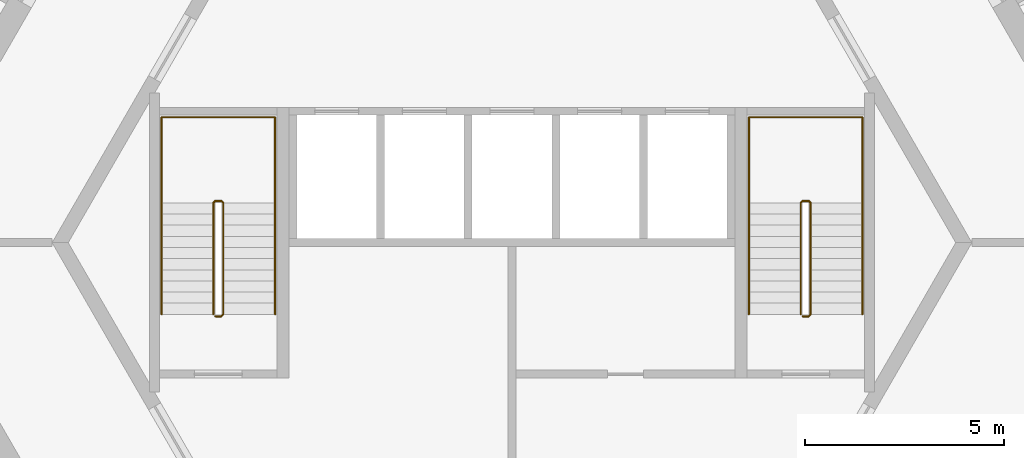
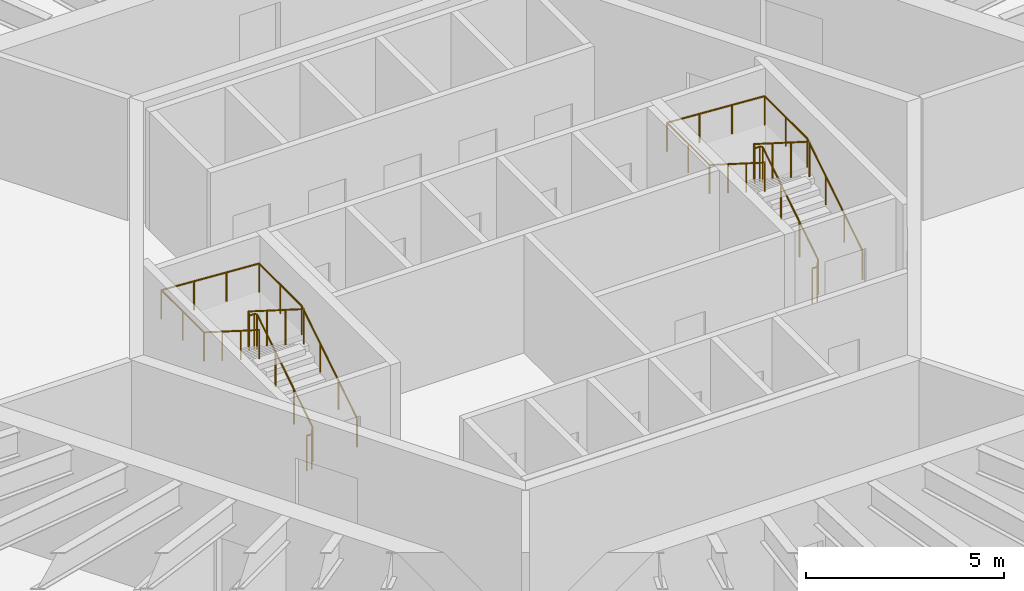
# One storey, part 12 of 12: 4 railings.
"""IFC4 building model written with IfcOpenShell, lengths in metres."""

import ifcopenshell
import ifcopenshell.guid

model = None  # the IFC model being written
_history = None  # IfcOwnerHistory: only IFC2X3 demands one
_inside = {}  # id of a spatial element -> (the spatial element, [elements in it])
_under = {}  # id of a project, library or spatial element -> (it, [spatial elements below it])
_declared = {}  # id of a project -> (the project, [libraries it declares])
_typed = {}  # id of a type object -> (the type object, [elements of that type])
_made_of = {}  # id of a material, layer set ... -> (it, [elements and type objects made of it])


def new_model(schema):
    """Start an empty IFC model of exactly this schema.

    Asked for "IFC4X3", IfcOpenShell would pick the latest addendum, in which some entities
    have other attributes; the version numbers below select the first issue.
    IFC2X3 requires an IfcOwnerHistory on every rooted entity: one is made here for all.
    """
    global model, _history
    if schema == "IFC4X3":
        model = ifcopenshell.file(schema_version=(4, 3, 0, 0))
    else:
        model = ifcopenshell.file(schema=schema)
    _inside.clear()
    _under.clear()
    _declared.clear()
    _typed.clear()
    _made_of.clear()
    _history = None
    if model.schema == "IFC2X3":
        org = make("IfcOrganization", Name="unknown")
        user = make(
            "IfcPersonAndOrganization",
            ThePerson=make("IfcPerson", FamilyName="unknown"),
            TheOrganization=org,
        )
        app = make(
            "IfcApplication",
            ApplicationDeveloper=org,
            Version="unknown",
            ApplicationFullName="unknown",
            ApplicationIdentifier="unknown",
        )
        _history = make(
            "IfcOwnerHistory",
            OwningUser=user,
            OwningApplication=app,
            ChangeAction="ADDED",
            CreationDate=0,
        )
    return model


def make(cls, **values):
    """One entity of the class cls with the attributes given. An attribute that is None is left unset."""
    return model.create_entity(
        cls, **{name: value for name, value in values.items() if value is not None}
    )


def rooted(cls, **values):
    """An entity with a GlobalId (a new one), such as an element, a storey or a relation."""
    return make(cls, GlobalId=ifcopenshell.guid.new(), OwnerHistory=_history, **values)


def si_unit(unit_type, name, prefix=None):
    """IfcSIUnit, for example si_unit("LENGTHUNIT", "METRE", prefix="MILLI")."""
    return make("IfcSIUnit", UnitType=unit_type, Prefix=prefix, Name=name)


def assignment(units):
    """IfcUnitAssignment: the units of a project."""
    return None if units is None else make("IfcUnitAssignment", Units=units)


def point(xyz):
    """IfcCartesianPoint."""
    return None if xyz is None else make("IfcCartesianPoint", Coordinates=xyz)


def direction(xyz):
    """IfcDirection."""
    return None if xyz is None else make("IfcDirection", DirectionRatios=xyz)


def frame(location, z_axis=None, x_axis=None):
    """IfcAxis2Placement3D, a coordinate frame: its origin and axes. An axis left out is left unset."""
    return make(
        "IfcAxis2Placement3D",
        Location=point(location),
        Axis=direction(z_axis),
        RefDirection=direction(x_axis),
    )


def frame_2d(location, x_axis=None):
    """IfcAxis2Placement2D, a coordinate frame in the plane: its origin and x axis."""
    return make(
        "IfcAxis2Placement2D", Location=point(location), RefDirection=direction(x_axis)
    )


def origin():
    """The frame at (0, 0, 0) with its axes left unset."""
    return frame((0.0, 0.0, 0.0))


def origin_2d():
    """The frame at (0, 0) in the plane with its x axis left unset."""
    return frame_2d((0.0, 0.0))


def place(relative_to, where):
    """IfcLocalPlacement: puts the frame where relative to a parent placement (None: the world)."""
    return make(
        "IfcLocalPlacement", PlacementRelTo=relative_to, RelativePlacement=where
    )


def context(
    kind, dimensions, precision=None, world=None, true_north=None, identifier=None
):
    """IfcGeometricRepresentationContext, for example the 3D "Model" context."""
    return make(
        "IfcGeometricRepresentationContext",
        ContextIdentifier=identifier,
        ContextType=kind,
        CoordinateSpaceDimension=dimensions,
        Precision=precision,
        WorldCoordinateSystem=world,
        TrueNorth=true_north,
    )


def subcontext(parent, identifier, kind, view, scale=None):
    """IfcGeometricRepresentationSubContext, for example "Body" below "Model"."""
    return make(
        "IfcGeometricRepresentationSubContext",
        ContextIdentifier=identifier,
        ContextType=kind,
        ParentContext=parent,
        TargetScale=scale,
        TargetView=view,
    )


def project(units=None, contexts=None):
    """IfcProject with its units and contexts."""
    return rooted(
        "IfcProject",
        Name="project",
        RepresentationContexts=contexts,
        UnitsInContext=assignment(units),
    )


def spatial(cls, under=None, at=None, **own):
    """A site, building, storey or space (cls), placed at a placement, below another one or the project."""
    s = rooted(cls, ObjectPlacement=at, **own)
    if under is not None:
        _under.setdefault(under.id(), (under, []))[1].append(s)
    return s


def profile(cls, at=None, kind="AREA", **sizes):
    """A parametric profile (cls). Its sizes go by their IFC names, for example OverallWidth=200.0."""
    return make(cls, ProfileType=kind, Position=at, **sizes)


def circle(**sizes):
    """IfcCircleProfileDef."""
    return profile("IfcCircleProfileDef", **sizes)


def extrude(swept, where, along, depth):
    """IfcExtrudedAreaSolid: the profile swept, set in the frame where, extruded along a direction by depth."""
    return make(
        "IfcExtrudedAreaSolid",
        SweptArea=swept,
        Position=where,
        ExtrudedDirection=direction(along),
        Depth=depth,
    )


def shape(context_of_items, identifier, shape_type, items):
    """IfcShapeRepresentation: the items that make up one representation, for example the "Body"."""
    return make(
        "IfcShapeRepresentation",
        ContextOfItems=context_of_items,
        RepresentationIdentifier=identifier,
        RepresentationType=shape_type,
        Items=items,
    )


def material(Name=None, Category=None):
    """IfcMaterial."""
    return make("IfcMaterial", Name=Name, Category=Category)


def made_of(thing, what):
    """Note that an element or type object is made of a material, layer set ...; save() writes the relation."""
    if what is not None:
        _made_of.setdefault(what.id(), (what, []))[1].append(thing)
    return thing


def type_object(cls, material=None, **own):
    """A type object (cls), such as IfcWallType, which elements share."""
    return made_of(rooted(cls, **own), material)


def element(
    cls,
    number,
    at=None,
    inside=None,
    cuts=None,
    type_object=None,
    material=None,
    context=None,
    identifier="Body",
    shape_type=None,
    held_by="IfcProductDefinitionShape",
    body=None,
    shapes=None,
    **own,
):
    """One element of the class cls, such as IfcWall. Its Tag is "e" and its number.

    at: its placement. inside: the storey or other place that contains it. cuts: it is an
    opening in that element (IfcRelVoidsElement). A single representation is given by context,
    identifier, shape_type and body (its items); several are given by shapes. held_by: the class
    of the entity that holds the representations. save() writes the other relations.
    """
    e = rooted(cls, Tag="e%d" % number, ObjectPlacement=at, **own)
    if body is not None:
        shapes = [shape(context, identifier, shape_type, body)]
    if shapes is not None:
        e.Representation = make(held_by, Representations=shapes)
    if inside is not None:
        _inside.setdefault(inside.id(), (inside, []))[1].append(e)
    if cuts is not None:
        rooted(
            "IfcRelVoidsElement", RelatingBuildingElement=cuts, RelatedOpeningElement=e
        )
    if type_object is not None:
        _typed.setdefault(type_object.id(), (type_object, []))[1].append(e)
    return made_of(e, material)


def aggregate(whole, parts):
    """IfcRelAggregates: a whole, such as a stair, and the parts it consists of."""
    return rooted("IfcRelAggregates", RelatingObject=whole, RelatedObjects=parts)


def save(model, path):
    """Write the relations noted so far, then the file.

    IfcRelAggregates (storeys below a building ...), IfcRelContainedInSpatialStructure (elements
    in a storey), IfcRelDefinesByType, IfcRelAssociatesMaterial and IfcRelDeclares: one each for
    every whole, place, type object, material and project.
    """
    for whole, parts in _under.values():
        aggregate(whole, parts)
    for where, things in _inside.values():
        rooted(
            "IfcRelContainedInSpatialStructure",
            RelatedElements=things,
            RelatingStructure=where,
        )
    for kind, things in _typed.values():
        rooted("IfcRelDefinesByType", RelatedObjects=things, RelatingType=kind)
    for what, things in _made_of.values():
        rooted("IfcRelAssociatesMaterial", RelatedObjects=things, RelatingMaterial=what)
    for by, libraries in _declared.values():
        rooted("IfcRelDeclares", RelatingContext=by, RelatedDefinitions=libraries)
    model.write(path)


model = new_model("IFC4")

# Units and contexts
model_context = context("Model", 3, precision=1e-05, world=origin(), true_north=direction((0.0, 1.0)))
body_context = subcontext(model_context, "Body", "Model", "MODEL_VIEW")
ifc_project = project(units=[si_unit("LENGTHUNIT", "METRE"), si_unit("AREAUNIT", "SQUARE_METRE"), si_unit("VOLUMEUNIT", "CUBIC_METRE"), si_unit("PLANEANGLEUNIT", "RADIAN"), si_unit("MASSUNIT", "GRAM", prefix="KILO")], contexts=[model_context])

# Site, building, storey
site_placement = place(None, origin())
site = spatial("IfcSite", under=ifc_project, at=site_placement, CompositionType="ELEMENT")
building_placement = place(site_placement, origin())
building = spatial("IfcBuilding", under=site, at=building_placement, Name="Tarnside Tower", CompositionType="ELEMENT")
storey_placement = place(building_placement, frame((0.0, 0.0, 88.199951171875)))
storey = spatial("IfcBuildingStorey", under=building, at=storey_placement, Name="L19", CompositionType="ELEMENT", Elevation=88.199951171875)

# Railings
ifc_material = material(Name="Stainless steel", Category="steel")
railing_type_1 = type_object("IfcRailingType", Name="Stair guard 1100", PredefinedType="GUARDRAIL", material=ifc_material)
railing_1_placement = place(storey_placement, frame((7.300048828125, -1.85009765625, 0.0)))
element("IfcRailing", 1, at=railing_1_placement, inside=storey, type_object=railing_type_1, Name="L19 ST1 stair guard 1", PredefinedType="GUARDRAIL", context=body_context, shape_type="SweptSolid", body=[
    extrude(circle(Radius=0.02392578125, at=origin_2d()), frame((0.0, 0.0, 1.076171875), z_axis=(1.0, 0.0, 0.0), x_axis=(0.0, 1.0, 0.0)), (0.0, 0.0, 1.0), 0.14990234375),
    extrude(circle(Radius=0.02392578125, at=origin_2d()), frame((0.14990234375, 0.0, 1.076171875), z_axis=(0.262233686654, 0.262233686654, 0.928691007369), x_axis=(-0.707106781187, 0.707106781187, 0.0)), (0.0, 0.0, 1.0), 0.19091796875),
    extrude(circle(Radius=0.02392578125, at=origin_2d()), frame((0.199951171875, 0.050048828125, 1.25341796875), z_axis=(0.0, 0.844908973607, 0.534910110503), x_axis=(-1.0, 0.0, 0.0)), (0.0, 0.0, 1.0), 3.31396484375),
    extrude(circle(Radius=0.02392578125, at=origin_2d()), frame((0.199951171875, 2.85009765625, 3.02587890625), z_axis=(-0.707106781187, 0.707106781187, 0.0), x_axis=(-0.707106781187, -0.707106781187, 0.0)), (0.0, 0.0, 1.0), 0.07080078125),
    extrude(circle(Radius=0.02392578125, at=origin_2d()), frame((0.14990234375, 2.900146484375, 3.02587890625), z_axis=(-1.0, 0.0, 0.0), x_axis=(0.0, -1.0, 0.0)), (0.0, 0.0, 1.0), 0.14990234375),
    extrude(circle(Radius=0.02392578125, at=origin_2d()), frame((0.0, 2.900146484375, 3.02587890625), z_axis=(-0.261922500866, -0.261922500866, 0.928866625022), x_axis=(0.707106781187, -0.707106781187, 0.0)), (0.0, 0.0, 1.0), 0.191162109375),
    extrude(circle(Radius=0.02392578125, at=origin_2d()), frame((-0.050048828125, 2.85009765625, 3.20361328125), z_axis=(0.0, -0.844908973607, 0.534910110503), x_axis=(1.0, 0.0, 0.0)), (0.0, 0.0, 1.0), 3.31396484375),
    extrude(circle(Radius=0.02099609375, at=origin_2d()), origin(), (0.0, 0.0, 1.0), 1.052001953125),
    extrude(circle(Radius=0.02099609375, at=origin_2d()), frame((0.14990234375, 0.0, 0.0)), (0.0, 0.0, 1.0), 1.052001953125),
    extrude(circle(Radius=0.02099609375, at=origin_2d()), frame((0.199951171875, 0.050048828125, 0.17724609375)), (0.0, 0.0, 1.0), 1.052001953125),
    extrude(circle(Radius=0.02099609375, at=origin_2d()), frame((0.199951171875, 0.9833984375, 0.76806640625)), (0.0, 0.0, 1.0), 1.052001953125),
    extrude(circle(Radius=0.02099609375, at=origin_2d()), frame((0.199951171875, 1.916748046875, 1.359130859375)), (0.0, 0.0, 1.0), 1.052001953125),
    extrude(circle(Radius=0.02099609375, at=origin_2d()), frame((0.199951171875, 2.85009765625, 1.949951171875)), (0.0, 0.0, 1.0), 1.052001953125),
    extrude(circle(Radius=0.02099609375, at=origin_2d()), frame((0.14990234375, 2.900146484375, 1.949951171875)), (0.0, 0.0, 1.0), 1.052001953125),
    extrude(circle(Radius=0.02099609375, at=origin_2d()), frame((0.0, 2.900146484375, 1.949951171875)), (0.0, 0.0, 1.0), 1.052001953125),
    extrude(circle(Radius=0.02099609375, at=origin_2d()), frame((-0.050048828125, 2.85009765625, 2.12744140625)), (0.0, 0.0, 1.0), 1.052001953125),
    extrude(circle(Radius=0.02099609375, at=origin_2d()), frame((-0.050048828125, 1.916748046875, 2.71826171875)), (0.0, 0.0, 1.0), 1.052001953125),
    extrude(circle(Radius=0.02099609375, at=origin_2d()), frame((-0.050048828125, 0.9833984375, 3.309326171875)), (0.0, 0.0, 1.0), 1.052001953125),
    extrude(circle(Radius=0.02099609375, at=origin_2d()), frame((-0.050048828125, 0.050048828125, 3.900146484375)), (0.0, 0.0, 1.0), 1.052001953125),
])
railing_2_placement = place(storey_placement, frame((-7.449951171875, -1.85009765625, 0.0)))
element("IfcRailing", 2, at=railing_2_placement, inside=storey, type_object=railing_type_1, Name="L19 ST2 stair guard 1", PredefinedType="GUARDRAIL", context=body_context, shape_type="SweptSolid", body=[
    extrude(circle(Radius=0.02392578125, at=origin_2d()), frame((0.0, 0.0, 1.076171875), z_axis=(1.0, 0.0, 0.0), x_axis=(0.0, 1.0, 0.0)), (0.0, 0.0, 1.0), 0.14990234375),
    extrude(circle(Radius=0.02392578125, at=origin_2d()), frame((0.14990234375, 0.0, 1.076171875), z_axis=(0.262233686654, 0.262233686654, 0.928691007369), x_axis=(-0.707106781187, 0.707106781187, 0.0)), (0.0, 0.0, 1.0), 0.19091796875),
    extrude(circle(Radius=0.02392578125, at=origin_2d()), frame((0.199951171875, 0.050048828125, 1.25341796875), z_axis=(0.0, 0.844908973607, 0.534910110503), x_axis=(-1.0, 0.0, 0.0)), (0.0, 0.0, 1.0), 3.31396484375),
    extrude(circle(Radius=0.02392578125, at=origin_2d()), frame((0.199951171875, 2.85009765625, 3.02587890625), z_axis=(-0.707106781187, 0.707106781187, 0.0), x_axis=(-0.707106781187, -0.707106781187, 0.0)), (0.0, 0.0, 1.0), 0.07080078125),
    extrude(circle(Radius=0.02392578125, at=origin_2d()), frame((0.14990234375, 2.900146484375, 3.02587890625), z_axis=(-1.0, 0.0, 0.0), x_axis=(0.0, -1.0, 0.0)), (0.0, 0.0, 1.0), 0.14990234375),
    extrude(circle(Radius=0.02392578125, at=origin_2d()), frame((0.0, 2.900146484375, 3.02587890625), z_axis=(-0.261922500866, -0.261922500866, 0.928866625022), x_axis=(0.707106781187, -0.707106781187, 0.0)), (0.0, 0.0, 1.0), 0.191162109375),
    extrude(circle(Radius=0.02392578125, at=origin_2d()), frame((-0.050048828125, 2.85009765625, 3.20361328125), z_axis=(0.0, -0.844908973607, 0.534910110503), x_axis=(1.0, 0.0, 0.0)), (0.0, 0.0, 1.0), 3.31396484375),
    extrude(circle(Radius=0.02099609375, at=origin_2d()), origin(), (0.0, 0.0, 1.0), 1.052001953125),
    extrude(circle(Radius=0.02099609375, at=origin_2d()), frame((0.14990234375, 0.0, 0.0)), (0.0, 0.0, 1.0), 1.052001953125),
    extrude(circle(Radius=0.02099609375, at=origin_2d()), frame((0.199951171875, 0.050048828125, 0.17724609375)), (0.0, 0.0, 1.0), 1.052001953125),
    extrude(circle(Radius=0.02099609375, at=origin_2d()), frame((0.199951171875, 0.9833984375, 0.76806640625)), (0.0, 0.0, 1.0), 1.052001953125),
    extrude(circle(Radius=0.02099609375, at=origin_2d()), frame((0.199951171875, 1.916748046875, 1.359130859375)), (0.0, 0.0, 1.0), 1.052001953125),
    extrude(circle(Radius=0.02099609375, at=origin_2d()), frame((0.199951171875, 2.85009765625, 1.949951171875)), (0.0, 0.0, 1.0), 1.052001953125),
    extrude(circle(Radius=0.02099609375, at=origin_2d()), frame((0.14990234375, 2.900146484375, 1.949951171875)), (0.0, 0.0, 1.0), 1.052001953125),
    extrude(circle(Radius=0.02099609375, at=origin_2d()), frame((0.0, 2.900146484375, 1.949951171875)), (0.0, 0.0, 1.0), 1.052001953125),
    extrude(circle(Radius=0.02099609375, at=origin_2d()), frame((-0.050048828125, 2.85009765625, 2.12744140625)), (0.0, 0.0, 1.0), 1.052001953125),
    extrude(circle(Radius=0.02099609375, at=origin_2d()), frame((-0.050048828125, 1.916748046875, 2.71826171875)), (0.0, 0.0, 1.0), 1.052001953125),
    extrude(circle(Radius=0.02099609375, at=origin_2d()), frame((-0.050048828125, 0.9833984375, 3.309326171875)), (0.0, 0.0, 1.0), 1.052001953125),
    extrude(circle(Radius=0.02099609375, at=origin_2d()), frame((-0.050048828125, 0.050048828125, 3.900146484375)), (0.0, 0.0, 1.0), 1.052001953125),
])
railing_type_2 = type_object("IfcRailingType", Name="Stair handrail 900", PredefinedType="HANDRAIL", material=ifc_material)
railing_3_placement = place(storey_placement, frame((8.800048828125, -1.800048828125, 0.17724609375)))
element("IfcRailing", 3, at=railing_3_placement, inside=storey, type_object=railing_type_2, Name="L19 ST1 stair handrail 1", PredefinedType="HANDRAIL", context=body_context, shape_type="SweptSolid", body=[
    extrude(circle(Radius=0.02392578125, at=origin_2d()), frame((0.0, 0.0, 0.8857421875), z_axis=(0.0, 0.844908973607, 0.534910110503), x_axis=(-1.0, 0.0, 0.0)), (0.0, 0.0, 1.0), 3.31396484375),
    extrude(circle(Radius=0.02392578125, at=origin_2d()), frame((0.0, 2.800048828125, 2.65869140625), z_axis=(0.0, 1.0, 0.0), x_axis=(-1.0, 0.0, 0.0)), (0.0, 0.0, 1.0), 2.14990234375),
    extrude(circle(Radius=0.02392578125, at=origin_2d()), frame((0.0, 4.949951171875, 2.65869140625), z_axis=(-0.998066525363, 0.0, 0.062154733933), x_axis=(0.0, -1.0, 0.0)), (0.0, 0.0, 1.0), 2.855712890625),
    extrude(circle(Radius=0.02392578125, at=origin_2d()), frame((-2.85009765625, 4.949951171875, 2.8359375), z_axis=(0.0, -1.0, 0.0), x_axis=(1.0, 0.0, 0.0)), (0.0, 0.0, 1.0), 2.14990234375),
    extrude(circle(Radius=0.02392578125, at=origin_2d()), frame((-2.85009765625, 2.800048828125, 2.8359375), z_axis=(0.0, -0.844908973607, 0.534910110503), x_axis=(1.0, 0.0, 0.0)), (0.0, 0.0, 1.0), 3.31396484375),
    extrude(circle(Radius=0.02099609375, at=origin_2d()), origin(), (0.0, 0.0, 1.0), 0.86181640625),
    extrude(circle(Radius=0.02099609375, at=origin_2d()), frame((0.0, 0.933349609375, 0.5908203125)), (0.0, 0.0, 1.0), 0.86181640625),
    extrude(circle(Radius=0.02099609375, at=origin_2d()), frame((0.0, 1.86669921875, 1.181884765625)), (0.0, 0.0, 1.0), 0.86181640625),
    extrude(circle(Radius=0.02099609375, at=origin_2d()), frame((0.0, 2.800048828125, 1.772705078125)), (0.0, 0.0, 1.0), 0.86181640625),
    extrude(circle(Radius=0.02099609375, at=origin_2d()), frame((0.0, 3.875, 1.772705078125)), (0.0, 0.0, 1.0), 0.86181640625),
    extrude(circle(Radius=0.02099609375, at=origin_2d()), frame((0.0, 4.949951171875, 1.772705078125)), (0.0, 0.0, 1.0), 0.86181640625),
    extrude(circle(Radius=0.02099609375, at=origin_2d()), frame((-0.949951171875, 4.949951171875, 1.831787109375)), (0.0, 0.0, 1.0), 0.86181640625),
    extrude(circle(Radius=0.02099609375, at=origin_2d()), frame((-1.900146484375, 4.949951171875, 1.89111328125)), (0.0, 0.0, 1.0), 0.86181640625),
    extrude(circle(Radius=0.02099609375, at=origin_2d()), frame((-2.85009765625, 4.949951171875, 1.9501953125)), (0.0, 0.0, 1.0), 0.86181640625),
    extrude(circle(Radius=0.02099609375, at=origin_2d()), frame((-2.85009765625, 3.875, 1.9501953125)), (0.0, 0.0, 1.0), 0.86181640625),
    extrude(circle(Radius=0.02099609375, at=origin_2d()), frame((-2.85009765625, 2.800048828125, 1.9501953125)), (0.0, 0.0, 1.0), 0.86181640625),
    extrude(circle(Radius=0.02099609375, at=origin_2d()), frame((-2.85009765625, 1.86669921875, 2.541015625)), (0.0, 0.0, 1.0), 0.86181640625),
    extrude(circle(Radius=0.02099609375, at=origin_2d()), frame((-2.85009765625, 0.933349609375, 3.132080078125)), (0.0, 0.0, 1.0), 0.86181640625),
    extrude(circle(Radius=0.02099609375, at=origin_2d()), frame((-2.85009765625, 0.0, 3.722900390625)), (0.0, 0.0, 1.0), 0.86181640625),
])
railing_4_placement = place(storey_placement, frame((-5.949951171875, -1.800048828125, 0.17724609375)))
element("IfcRailing", 4, at=railing_4_placement, inside=storey, type_object=railing_type_2, Name="L19 ST2 stair handrail 1", PredefinedType="HANDRAIL", context=body_context, shape_type="SweptSolid", body=[
    extrude(circle(Radius=0.02392578125, at=origin_2d()), frame((0.0, 0.0, 0.8857421875), z_axis=(0.0, 0.844908973607, 0.534910110503), x_axis=(-1.0, 0.0, 0.0)), (0.0, 0.0, 1.0), 3.31396484375),
    extrude(circle(Radius=0.02392578125, at=origin_2d()), frame((0.0, 2.800048828125, 2.65869140625), z_axis=(0.0, 1.0, 0.0), x_axis=(-1.0, 0.0, 0.0)), (0.0, 0.0, 1.0), 2.14990234375),
    extrude(circle(Radius=0.02392578125, at=origin_2d()), frame((0.0, 4.949951171875, 2.65869140625), z_axis=(-0.998066525363, 0.0, 0.062154733933), x_axis=(0.0, -1.0, 0.0)), (0.0, 0.0, 1.0), 2.855712890625),
    extrude(circle(Radius=0.02392578125, at=origin_2d()), frame((-2.85009765625, 4.949951171875, 2.8359375), z_axis=(0.0, -1.0, 0.0), x_axis=(1.0, 0.0, 0.0)), (0.0, 0.0, 1.0), 2.14990234375),
    extrude(circle(Radius=0.02392578125, at=origin_2d()), frame((-2.85009765625, 2.800048828125, 2.8359375), z_axis=(0.0, -0.844908973607, 0.534910110503), x_axis=(1.0, 0.0, 0.0)), (0.0, 0.0, 1.0), 3.31396484375),
    extrude(circle(Radius=0.02099609375, at=origin_2d()), origin(), (0.0, 0.0, 1.0), 0.86181640625),
    extrude(circle(Radius=0.02099609375, at=origin_2d()), frame((0.0, 0.933349609375, 0.5908203125)), (0.0, 0.0, 1.0), 0.86181640625),
    extrude(circle(Radius=0.02099609375, at=origin_2d()), frame((0.0, 1.86669921875, 1.181884765625)), (0.0, 0.0, 1.0), 0.86181640625),
    extrude(circle(Radius=0.02099609375, at=origin_2d()), frame((0.0, 2.800048828125, 1.772705078125)), (0.0, 0.0, 1.0), 0.86181640625),
    extrude(circle(Radius=0.02099609375, at=origin_2d()), frame((0.0, 3.875, 1.772705078125)), (0.0, 0.0, 1.0), 0.86181640625),
    extrude(circle(Radius=0.02099609375, at=origin_2d()), frame((0.0, 4.949951171875, 1.772705078125)), (0.0, 0.0, 1.0), 0.86181640625),
    extrude(circle(Radius=0.02099609375, at=origin_2d()), frame((-0.949951171875, 4.949951171875, 1.831787109375)), (0.0, 0.0, 1.0), 0.86181640625),
    extrude(circle(Radius=0.02099609375, at=origin_2d()), frame((-1.900146484375, 4.949951171875, 1.89111328125)), (0.0, 0.0, 1.0), 0.86181640625),
    extrude(circle(Radius=0.02099609375, at=origin_2d()), frame((-2.85009765625, 4.949951171875, 1.9501953125)), (0.0, 0.0, 1.0), 0.86181640625),
    extrude(circle(Radius=0.02099609375, at=origin_2d()), frame((-2.85009765625, 3.875, 1.9501953125)), (0.0, 0.0, 1.0), 0.86181640625),
    extrude(circle(Radius=0.02099609375, at=origin_2d()), frame((-2.85009765625, 2.800048828125, 1.9501953125)), (0.0, 0.0, 1.0), 0.86181640625),
    extrude(circle(Radius=0.02099609375, at=origin_2d()), frame((-2.85009765625, 1.86669921875, 2.541015625)), (0.0, 0.0, 1.0), 0.86181640625),
    extrude(circle(Radius=0.02099609375, at=origin_2d()), frame((-2.85009765625, 0.933349609375, 3.132080078125)), (0.0, 0.0, 1.0), 0.86181640625),
    extrude(circle(Radius=0.02099609375, at=origin_2d()), frame((-2.85009765625, 0.0, 3.722900390625)), (0.0, 0.0, 1.0), 0.86181640625),
])

save(model, "model.ifc")
